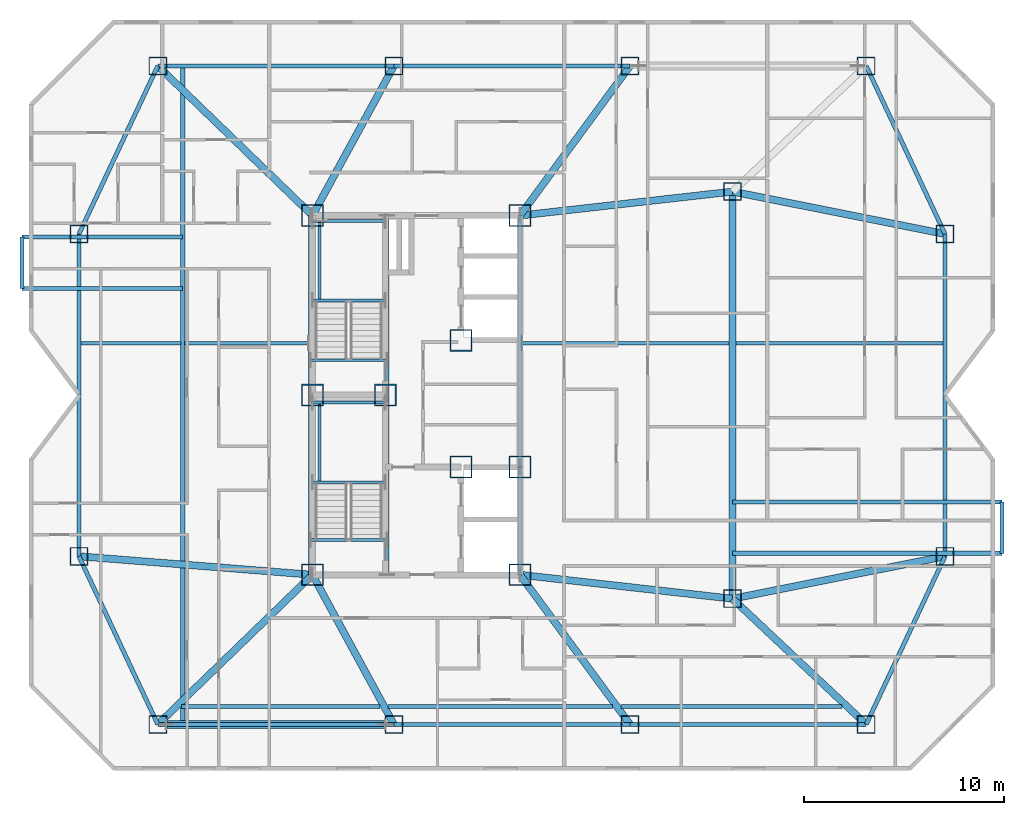
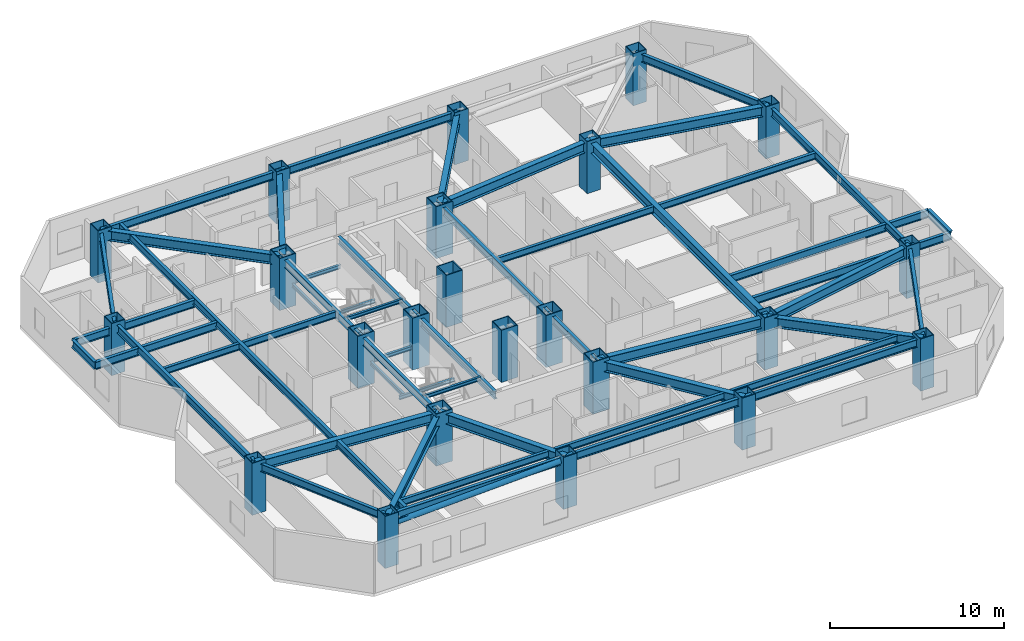
# One storey, part 1 of 12: 52 beams, 23 columns, 1 member.
"""IFC4 building model written with IfcOpenShell, lengths in metres."""

from ifc_helpers import new_model, si_unit, direction, frame, origin, origin_2d, place, context, subcontext, project, spatial, hollow_rectangle, hollow_circle, i_section, extrude, material, material_profile, profile_set, type_object, element, save


model = new_model("IFC4")

# Units and contexts
model_context = context("Model", 3, precision=1e-05, world=origin(), true_north=direction((0.0, 1.0)))
body_context = subcontext(model_context, "Body", "Model", "MODEL_VIEW")
ifc_project = project(units=[si_unit("LENGTHUNIT", "METRE"), si_unit("AREAUNIT", "SQUARE_METRE"), si_unit("VOLUMEUNIT", "CUBIC_METRE"), si_unit("PLANEANGLEUNIT", "RADIAN"), si_unit("MASSUNIT", "GRAM", prefix="KILO")], contexts=[model_context])

# Site, building, storey
site_placement = place(None, origin())
site = spatial("IfcSite", under=ifc_project, at=site_placement, CompositionType="ELEMENT")
building_placement = place(site_placement, origin())
building = spatial("IfcBuilding", under=site, at=building_placement, Name="Khamvora Tower", CompositionType="ELEMENT")
storey_placement = place(building_placement, frame((0.0, 0.0, 188.75)))
storey = spatial("IfcBuildingStorey", under=building, at=storey_placement, Name="L48", CompositionType="ELEMENT", Elevation=188.75)

# Columns
ifc_material_1 = material(Name="Steel S460", Category="steel")
ifc_material_profile_1 = material_profile(ifc_material_1, hollow_rectangle(XDim=1.10009765625, YDim=1.10009765625, WallThickness=0.054931640625, at=origin_2d()), Name="BOX1100x1100x55")
ifc_profile_set_1 = profile_set([ifc_material_profile_1], Name="Steel S460")
column_type_1 = type_object("IfcColumnType", Name="COL-BOX1100", PredefinedType="COLUMN", material=ifc_profile_set_1)
for number, where, z_axis, x_axis, name in (
    (1, (29.0, 19.0, 0.0), (0.0, 0.0, 1.0), (1.0, 0.0, 0.0), "L48 plumb core spine column SC1"),
    (2, (32.64990234375, 28.0, 0.0), (0.0, 0.0, 1.0), (1.0, 0.0, 0.0), "L48 plumb core spine column SC2"),
    (3, (39.39990234375, 19.0, 0.0), (0.0, 0.0, 1.0), (1.0, 0.0, 0.0), "L48 plumb core spine column SC3"),
    (4, (29.0, 28.0, 0.0), (0.0, 0.0, 1.0), (1.0, 0.0, 0.0), "L48 plumb core spine column SC4"),
    (5, (36.449951171875, 24.39990234375, 0.0), (0.0, 0.0, 1.0), (1.0, 0.0, 0.0), "L48 plumb core spine column SC5"),
    (6, (39.39990234375, 24.39990234375, 0.0), (0.0, 0.0, 1.0), (1.0, 0.0, 0.0), "L48 plumb core spine column SC6"),
    (7, (29.0, 37.0, 0.0), (0.0, 0.0, 1.0), (1.0, 0.0, 0.0), "L48 plumb core spine column SC7"),
    (8, (36.449951171875, 30.75, 0.0), (0.0, 0.0, 1.0), (1.0, 0.0, 0.0), "L48 plumb core spine column SC8"),
    (9, (39.39990234375, 37.0, 0.0), (0.0, 0.0, 1.0), (1.0, 0.0, 0.0), "L48 plumb core spine column SC9"),
):
    element("IfcColumn", number, at=place(storey_placement, frame(where, z_axis=z_axis, x_axis=x_axis)), inside=storey, type_object=column_type_1, Name=name, PredefinedType="COLUMN", context=body_context, shape_type="SweptSolid", body=[
        extrude(hollow_rectangle(XDim=1.10009765625, YDim=1.10009765625, WallThickness=0.054931640625, at=origin_2d()), origin(), (0.0, 0.0, 1.0), 3.64990234375),
    ])
ifc_material_2 = material(Name="Steel S355", Category="steel")
ifc_material_profile_2 = material_profile(ifc_material_2, hollow_rectangle(XDim=0.89990234375, YDim=0.89990234375, WallThickness=0.044921875, at=origin_2d()), Name="BOX900x900x45")
ifc_profile_set_2 = profile_set([ifc_material_profile_2], Name="Steel S355")
column_type_2 = type_object("IfcColumnType", Name="COL-BOX900", PredefinedType="COLUMN", material=ifc_profile_set_2)
for number, where, z_axis, x_axis, name in (
    (10, (21.25, 11.5, 0.0), (0.0, 0.0, 1.0), (1.0, 0.0, 0.0), "L48 structural frame column S1"),
    (11, (33.0830078125, 11.5, 0.0), (0.0, 0.0, 1.0), (1.0, 0.0, 0.0), "L48 structural frame column S2"),
    (12, (44.9169921875, 11.5, 0.0), (0.0, 0.0, 1.0), (1.0, 0.0, 0.0), "L48 structural frame column S3"),
    (13, (56.75, 11.5, 0.0), (0.0, 0.0, 1.0), (1.0, 0.0, 0.0), "L48 structural frame column S4"),
    (14, (21.25, 44.5, 0.0), (0.0, 0.0, 1.0), (1.0, 0.0, 0.0), "L48 structural frame column N1"),
    (15, (33.0830078125, 44.5, 0.0), (0.0, 0.0, 1.0), (1.0, 0.0, 0.0), "L48 structural frame column N2"),
    (16, (44.9169921875, 44.5, 0.0), (0.0, 0.0, 1.0), (1.0, 0.0, 0.0), "L48 structural frame column N3"),
    (17, (56.75, 44.5, 0.0), (0.0, 0.0, 1.0), (1.0, 0.0, 0.0), "L48 structural frame column N4"),
    (18, (17.300048828125, 19.925048828125, 0.0), (0.0, 0.0, 1.0), (1.0, 0.0, 0.0), "L48 structural frame column W1"),
    (19, (17.300048828125, 36.074951171875, 0.0), (0.0, 0.0, 1.0), (1.0, 0.0, 0.0), "L48 structural frame column W2"),
    (20, (60.699951171875, 19.925048828125, 0.0), (0.0, 0.0, 1.0), (1.0, 0.0, 0.0), "L48 structural frame column E1"),
    (21, (60.699951171875, 36.074951171875, 0.0), (0.0, 0.0, 1.0), (1.0, 0.0, 0.0), "L48 structural frame column E2"),
    (22, (50.050048828125, 17.800048828125, 0.0), (0.0, 0.0, 1.0), (1.0, 0.0, 0.0), "L48 structural frame column M1"),
    (23, (50.050048828125, 38.199951171875, 0.0), (0.0, 0.0, 1.0), (1.0, 0.0, 0.0), "L48 structural frame column M2"),
):
    element("IfcColumn", number, at=place(storey_placement, frame(where, z_axis=z_axis, x_axis=x_axis)), inside=storey, type_object=column_type_2, Name=name, PredefinedType="COLUMN", context=body_context, shape_type="SweptSolid", body=[
        extrude(hollow_rectangle(XDim=0.89990234375, YDim=0.89990234375, WallThickness=0.044921875, at=origin_2d()), origin(), (0.0, 0.0, 1.0), 3.64990234375),
    ])

# Beams
ifc_material_profile_3 = material_profile(ifc_material_2, i_section(OverallWidth=0.19189453125, OverallDepth=0.462890625, WebThickness=0.010986328125, FlangeThickness=0.01806640625, FilletRadius=0.011962890625, at=origin_2d()), Name="W460x89")
ifc_profile_set_3 = profile_set([ifc_material_profile_3], Name="Steel S355")
beam_type_1 = type_object("IfcBeamType", Name="BM-JS-W460x89", PredefinedType="JOIST", material=ifc_profile_set_3)
beam_1_placement = place(storey_placement, frame((22.429931640625, 12.39990234375, 3.197998046875), z_axis=(1.0, 0.0, 0.0), x_axis=(0.0, 1.0, 0.0)))
element("IfcBeam", 24, at=beam_1_placement, inside=storey, type_object=beam_type_1, Name="L48 secondary floor joist 01", PredefinedType="JOIST", context=body_context, shape_type="SweptSolid", body=[
    extrude(i_section(OverallWidth=0.19189453125, OverallDepth=0.462890625, WebThickness=0.010986328125, FlangeThickness=0.01806640625, FilletRadius=0.011962890625, at=origin_2d()), origin(), (0.0, 0.0, 1.0), 9.966064453125),
])
beam_2_placement = place(storey_placement, frame((32.7900390625, 12.39990234375, 3.197998046875), z_axis=(1.0, 0.0, 0.0), x_axis=(0.0, 1.0, 0.0)))
element("IfcBeam", 25, at=beam_2_placement, inside=storey, type_object=beam_type_1, Name="L48 secondary floor joist 02", PredefinedType="JOIST", context=body_context, shape_type="SweptSolid", body=[
    extrude(i_section(OverallWidth=0.19189453125, OverallDepth=0.462890625, WebThickness=0.010986328125, FlangeThickness=0.01806640625, FilletRadius=0.011962890625, at=origin_2d()), origin(), (0.0, 0.0, 1.0), 11.25),
])
beam_3_placement = place(storey_placement, frame((44.469970703125, 12.39990234375, 3.197998046875), z_axis=(1.0, 0.0, 0.0), x_axis=(0.0, 1.0, 0.0)))
element("IfcBeam", 26, at=beam_3_placement, inside=storey, type_object=beam_type_1, Name="L48 secondary floor joist 03", PredefinedType="JOIST", context=body_context, shape_type="SweptSolid", body=[
    extrude(i_section(OverallWidth=0.19189453125, OverallDepth=0.462890625, WebThickness=0.010986328125, FlangeThickness=0.01806640625, FilletRadius=0.011962890625, at=origin_2d()), origin(), (0.0, 0.0, 1.0), 11.069091796875),
])
beam_4_placement = place(storey_placement, frame((17.40087890625, 30.60009765625, 3.197998046875), z_axis=(1.0, 0.0, 0.0), x_axis=(0.0, 1.0, 0.0)))
element("IfcBeam", 27, at=beam_4_placement, inside=storey, type_object=beam_type_1, Name="L48 secondary floor joist 04", PredefinedType="JOIST", context=body_context, shape_type="SweptSolid", body=[
    extrude(i_section(OverallWidth=0.19189453125, OverallDepth=0.462890625, WebThickness=0.010986328125, FlangeThickness=0.01806640625, FilletRadius=0.011962890625, at=origin_2d()), origin(), (0.0, 0.0, 1.0), 5.0),
])
beam_5_placement = place(storey_placement, frame((22.59912109375, 30.60009765625, 3.197998046875), z_axis=(1.0, 0.0, 0.0), x_axis=(0.0, 1.0, 0.0)))
element("IfcBeam", 28, at=beam_5_placement, inside=storey, type_object=beam_type_1, Name="L48 secondary floor joist 05", PredefinedType="JOIST", context=body_context, shape_type="SweptSolid", body=[
    extrude(i_section(OverallWidth=0.19189453125, OverallDepth=0.462890625, WebThickness=0.010986328125, FlangeThickness=0.01806640625, FilletRadius=0.011962890625, at=origin_2d()), origin(), (0.0, 0.0, 1.0), 6.200927734375),
])
beam_6_placement = place(storey_placement, frame((39.4990234375, 30.60009765625, 3.197998046875), z_axis=(1.0, 0.0, 0.0), x_axis=(0.0, 1.0, 0.0)))
element("IfcBeam", 29, at=beam_6_placement, inside=storey, type_object=beam_type_1, Name="L48 secondary floor joist 06", PredefinedType="JOIST", context=body_context, shape_type="SweptSolid", body=[
    extrude(i_section(OverallWidth=0.19189453125, OverallDepth=0.462890625, WebThickness=0.010986328125, FlangeThickness=0.01806640625, FilletRadius=0.011962890625, at=origin_2d()), origin(), (0.0, 0.0, 1.0), 10.3779296875),
])
beam_7_placement = place(storey_placement, frame((50.221923828125, 30.60009765625, 3.197998046875), z_axis=(1.0, 0.0, 0.0), x_axis=(0.0, 1.0, 0.0)))
element("IfcBeam", 30, at=beam_7_placement, inside=storey, type_object=beam_type_1, Name="L48 secondary floor joist 07", PredefinedType="JOIST", context=body_context, shape_type="SweptSolid", body=[
    extrude(i_section(OverallWidth=0.19189453125, OverallDepth=0.462890625, WebThickness=0.010986328125, FlangeThickness=0.01806640625, FilletRadius=0.011962890625, at=origin_2d()), origin(), (0.0, 0.0, 1.0), 10.377197265625),
])
ifc_material_profile_4 = material_profile(ifc_material_2, i_section(OverallWidth=0.14697265625, OverallDepth=0.261962890625, WebThickness=0.007080078125, FlangeThickness=0.010986328125, FilletRadius=0.008056640625, at=origin_2d()), Name="W250x39")
ifc_profile_set_4 = profile_set([ifc_material_profile_4], Name="Steel S355")
beam_type_2 = type_object("IfcBeamType", Name="BM-LN-W250x39", PredefinedType="LINTEL", material=ifc_profile_set_4)
for number, where, z_axis, x_axis, name in (
    (31, (29.0, 23.635009765625, 1.493896484375), (1.0, 0.0, 0.0), (0.0, 1.0, 0.0), "L48 ST-01 half-landing support beam 1.1"),
    (32, (29.0, 27.6298828125, 1.493896484375), (1.0, 0.0, 0.0), (0.0, 1.0, 0.0), "L48 ST-01 half-landing support beam 1.2"),
):
    element("IfcBeam", number, at=place(storey_placement, frame(where, z_axis=z_axis, x_axis=x_axis)), inside=storey, type_object=beam_type_2, Name=name, PredefinedType="LINTEL", context=body_context, shape_type="SweptSolid", body=[
        extrude(i_section(OverallWidth=0.14697265625, OverallDepth=0.261962890625, WebThickness=0.007080078125, FlangeThickness=0.010986328125, FilletRadius=0.008056640625, at=origin_2d()), origin(), (0.0, 0.0, 1.0), 3.64990234375),
    ])
beam_8_placement = place(storey_placement, frame((29.35009765625, 23.635009765625, 1.493896484375), z_axis=(0.0, 1.0, 0.0), x_axis=(-1.0, 0.0, 0.0)))
element("IfcBeam", 33, at=beam_8_placement, inside=storey, type_object=beam_type_2, Name="L48 ST-01 half-landing edge stringer 1", PredefinedType="LINTEL", context=body_context, shape_type="SweptSolid", body=[
    extrude(i_section(OverallWidth=0.14697265625, OverallDepth=0.261962890625, WebThickness=0.007080078125, FlangeThickness=0.010986328125, FilletRadius=0.008056640625, at=origin_2d()), origin(), (0.0, 0.0, 1.0), 3.994873046875),
])
for number, where, z_axis, x_axis, name in (
    (34, (29.0, 32.735107421875, 1.493896484375), (1.0, 0.0, 0.0), (0.0, 1.0, 0.0), "L48 ST-02 half-landing support beam 1.1"),
    (35, (29.0, 36.72998046875, 1.493896484375), (1.0, 0.0, 0.0), (0.0, 1.0, 0.0), "L48 ST-02 half-landing support beam 1.2"),
):
    element("IfcBeam", number, at=place(storey_placement, frame(where, z_axis=z_axis, x_axis=x_axis)), inside=storey, type_object=beam_type_2, Name=name, PredefinedType="LINTEL", context=body_context, shape_type="SweptSolid", body=[
        extrude(i_section(OverallWidth=0.14697265625, OverallDepth=0.261962890625, WebThickness=0.007080078125, FlangeThickness=0.010986328125, FilletRadius=0.008056640625, at=origin_2d()), origin(), (0.0, 0.0, 1.0), 3.64990234375),
    ])
beam_9_placement = place(storey_placement, frame((29.35009765625, 32.735107421875, 1.493896484375), z_axis=(0.0, 1.0, 0.0), x_axis=(-1.0, 0.0, 0.0)))
element("IfcBeam", 36, at=beam_9_placement, inside=storey, type_object=beam_type_2, Name="L48 ST-02 half-landing edge stringer 1", PredefinedType="LINTEL", context=body_context, shape_type="SweptSolid", body=[
    extrude(i_section(OverallWidth=0.14697265625, OverallDepth=0.261962890625, WebThickness=0.007080078125, FlangeThickness=0.010986328125, FilletRadius=0.008056640625, at=origin_2d()), origin(), (0.0, 0.0, 1.0), 3.994873046875),
])
for number, where, z_axis, x_axis, name in (
    (37, (28.89990234375, 20.75, 3.303955078125), (1.0, 0.0, 0.0), (0.0, 1.0, 0.0), "L48 exit stair ST-01 landing trimmer beam"),
    (38, (28.89990234375, 29.75, 3.303955078125), (1.0, 0.0, 0.0), (0.0, 1.0, 0.0), "L48 exit stair ST-02 landing trimmer beam"),
):
    element("IfcBeam", number, at=place(storey_placement, frame(where, z_axis=z_axis, x_axis=x_axis)), inside=storey, type_object=beam_type_2, Name=name, PredefinedType="LINTEL", context=body_context, shape_type="SweptSolid", body=[
        extrude(i_section(OverallWidth=0.14697265625, OverallDepth=0.261962890625, WebThickness=0.007080078125, FlangeThickness=0.010986328125, FilletRadius=0.008056640625, at=origin_2d()), origin(), (0.0, 0.0, 1.0), 3.830078125),
    ])
ifc_material_profile_5 = material_profile(ifc_material_2, i_section(OverallWidth=0.35498046875, OverallDepth=0.695068359375, WebThickness=0.014892578125, FlangeThickness=0.02490234375, FilletRadius=0.01611328125, at=origin_2d()), Name="W690x217")
ifc_profile_set_5 = profile_set([ifc_material_profile_5], Name="Steel S355")
beam_type_3 = type_object("IfcBeamType", Name="BM-PG-W690x217", PredefinedType="BEAM", material=ifc_profile_set_5)
beam_10_placement = place(storey_placement, frame((50.050048828125, 17.800048828125, 3.0830078125), z_axis=(0.0, 1.0, 0.0), x_axis=(-1.0, 0.0, 0.0)))
element("IfcBeam", 39, at=beam_10_placement, inside=storey, type_object=beam_type_3, Name="L48 longitudinal frame girder M1-M2", PredefinedType="BEAM", context=body_context, shape_type="SweptSolid", body=[
    extrude(i_section(OverallWidth=0.35498046875, OverallDepth=0.695068359375, WebThickness=0.014892578125, FlangeThickness=0.02490234375, FilletRadius=0.01611328125, at=origin_2d()), origin(), (0.0, 0.0, 1.0), 20.39990234375),
])
beam_11_placement = place(storey_placement, frame((29.0, 19.0, 3.0830078125), z_axis=(-0.718602141767, -0.695421427516, 0.0), x_axis=(0.695421427516, -0.718602141767, 0.0)))
element("IfcBeam", 40, at=beam_11_placement, inside=storey, type_object=beam_type_3, Name="L48 primary floor girder S1", PredefinedType="BEAM", context=body_context, shape_type="SweptSolid", body=[
    extrude(i_section(OverallWidth=0.35498046875, OverallDepth=0.695068359375, WebThickness=0.014892578125, FlangeThickness=0.02490234375, FilletRadius=0.01611328125, at=origin_2d()), origin(), (0.0, 0.0, 1.0), 10.784912109375),
])
beam_12_placement = place(storey_placement, frame((29.0, 19.0, 3.0830078125), z_axis=(0.478138862063, -0.878284252725, 0.0), x_axis=(0.878284252725, 0.478138862063, 0.0)))
element("IfcBeam", 41, at=beam_12_placement, inside=storey, type_object=beam_type_3, Name="L48 primary floor girder S2", PredefinedType="BEAM", context=body_context, shape_type="SweptSolid", body=[
    extrude(i_section(OverallWidth=0.35498046875, OverallDepth=0.695068359375, WebThickness=0.014892578125, FlangeThickness=0.02490234375, FilletRadius=0.01611328125, at=origin_2d()), origin(), (0.0, 0.0, 1.0), 8.539306640625),
])
beam_13_placement = place(storey_placement, frame((39.39990234375, 19.0, 3.0830078125), z_axis=(0.592556630955, -0.805528794713, 0.0), x_axis=(0.805528794713, 0.592556630955, 0.0)))
element("IfcBeam", 42, at=beam_13_placement, inside=storey, type_object=beam_type_3, Name="L48 primary floor girder S3", PredefinedType="BEAM", context=body_context, shape_type="SweptSolid", body=[
    extrude(i_section(OverallWidth=0.35498046875, OverallDepth=0.695068359375, WebThickness=0.014892578125, FlangeThickness=0.02490234375, FilletRadius=0.01611328125, at=origin_2d()), origin(), (0.0, 0.0, 1.0), 9.310546875),
])
beam_14_placement = place(storey_placement, frame((50.050048828125, 17.800048828125, 3.0830078125), z_axis=(0.728513992294, -0.685030921224, 0.0), x_axis=(0.685030921224, 0.728513992294, 0.0)))
element("IfcBeam", 43, at=beam_14_placement, inside=storey, type_object=beam_type_3, Name="L48 primary floor girder S4", PredefinedType="BEAM", context=body_context, shape_type="SweptSolid", body=[
    extrude(i_section(OverallWidth=0.35498046875, OverallDepth=0.695068359375, WebThickness=0.014892578125, FlangeThickness=0.02490234375, FilletRadius=0.01611328125, at=origin_2d()), origin(), (0.0, 0.0, 1.0), 9.19677734375),
])
beam_15_placement = place(storey_placement, frame((29.0, 37.0, 3.0830078125), z_axis=(-0.718602141767, 0.695421427516, 0.0), x_axis=(-0.695421427516, -0.718602141767, 0.0)))
element("IfcBeam", 44, at=beam_15_placement, inside=storey, type_object=beam_type_3, Name="L48 primary floor girder N1", PredefinedType="BEAM", context=body_context, shape_type="SweptSolid", body=[
    extrude(i_section(OverallWidth=0.35498046875, OverallDepth=0.695068359375, WebThickness=0.014892578125, FlangeThickness=0.02490234375, FilletRadius=0.01611328125, at=origin_2d()), origin(), (0.0, 0.0, 1.0), 10.784912109375),
])
beam_16_placement = place(storey_placement, frame((29.0, 37.0, 3.0830078125), z_axis=(0.478138862063, 0.878284252725, 0.0), x_axis=(-0.878284252725, 0.478138862063, 0.0)))
element("IfcBeam", 45, at=beam_16_placement, inside=storey, type_object=beam_type_3, Name="L48 primary floor girder N2", PredefinedType="BEAM", context=body_context, shape_type="SweptSolid", body=[
    extrude(i_section(OverallWidth=0.35498046875, OverallDepth=0.695068359375, WebThickness=0.014892578125, FlangeThickness=0.02490234375, FilletRadius=0.01611328125, at=origin_2d()), origin(), (0.0, 0.0, 1.0), 8.539306640625),
])
beam_17_placement = place(storey_placement, frame((39.39990234375, 37.0, 3.0830078125), z_axis=(0.592556630955, 0.805528794713, 0.0), x_axis=(-0.805528794713, 0.592556630955, 0.0)))
element("IfcBeam", 46, at=beam_17_placement, inside=storey, type_object=beam_type_3, Name="L48 primary floor girder N3", PredefinedType="BEAM", context=body_context, shape_type="SweptSolid", body=[
    extrude(i_section(OverallWidth=0.35498046875, OverallDepth=0.695068359375, WebThickness=0.014892578125, FlangeThickness=0.02490234375, FilletRadius=0.01611328125, at=origin_2d()), origin(), (0.0, 0.0, 1.0), 9.310546875),
])
beam_18_placement = place(storey_placement, frame((29.0, 19.0, 3.0830078125), z_axis=(-0.996888993668, 0.078818362728, 0.0), x_axis=(-0.078818362728, -0.996888993668, 0.0)))
element("IfcBeam", 47, at=beam_18_placement, inside=storey, type_object=beam_type_3, Name="L48 primary floor girder W1", PredefinedType="BEAM", context=body_context, shape_type="SweptSolid", body=[
    extrude(i_section(OverallWidth=0.35498046875, OverallDepth=0.695068359375, WebThickness=0.014892578125, FlangeThickness=0.02490234375, FilletRadius=0.01611328125, at=origin_2d()), origin(), (0.0, 0.0, 1.0), 11.736572265625),
])
for number, where, z_axis, x_axis, name in (
    (48, (50.050048828125, 17.800048828125, 3.0830078125), (0.980668771461, 0.195675140681, 0.0), (-0.195675140681, 0.980668771461, 0.0), "L48 primary floor girder E1"),
    (49, (50.050048828125, 38.199951171875, 3.0830078125), (0.980668771461, -0.195675140681, 0.0), (0.195675140681, 0.980668771461, 0.0), "L48 primary floor girder E2"),
):
    element("IfcBeam", number, at=place(storey_placement, frame(where, z_axis=z_axis, x_axis=x_axis)), inside=storey, type_object=beam_type_3, Name=name, PredefinedType="BEAM", context=body_context, shape_type="SweptSolid", body=[
        extrude(i_section(OverallWidth=0.35498046875, OverallDepth=0.695068359375, WebThickness=0.014892578125, FlangeThickness=0.02490234375, FilletRadius=0.01611328125, at=origin_2d()), origin(), (0.0, 0.0, 1.0), 10.85986328125),
    ])
for number, where, z_axis, x_axis, name in (
    (50, (39.39990234375, 19.0, 3.0830078125), (0.993712543569, -0.111961514606, 0.0), (0.111961514606, 0.993712543569, 0.0), "L48 primary floor girder M1"),
    (51, (39.39990234375, 37.0, 3.0830078125), (0.993712543569, 0.111961514606, 0.0), (-0.111961514606, 0.993712543569, 0.0), "L48 primary floor girder M2"),
):
    element("IfcBeam", number, at=place(storey_placement, frame(where, z_axis=z_axis, x_axis=x_axis)), inside=storey, type_object=beam_type_3, Name=name, PredefinedType="BEAM", context=body_context, shape_type="SweptSolid", body=[
        extrude(i_section(OverallWidth=0.35498046875, OverallDepth=0.695068359375, WebThickness=0.014892578125, FlangeThickness=0.02490234375, FilletRadius=0.01611328125, at=origin_2d()), origin(), (0.0, 0.0, 1.0), 10.717529296875),
    ])
ifc_material_profile_6 = material_profile(ifc_material_2, i_section(OverallWidth=0.2119140625, OverallDepth=0.5439453125, WebThickness=0.012939453125, FlangeThickness=0.02099609375, FilletRadius=0.013916015625, at=origin_2d()), Name="W530x123")
ifc_profile_set_6 = profile_set([ifc_material_profile_6], Name="Steel S355")
beam_type_4 = type_object("IfcBeamType", Name="BM-SP-W530x123", PredefinedType="SPANDREL", material=ifc_profile_set_6)
beam_19_placement = place(storey_placement, frame((17.300048828125, 19.925048828125, 3.157958984375), z_axis=(0.424496391454, -0.905429629315, 0.0), x_axis=(0.905429629315, 0.424496391454, 0.0)))
element("IfcBeam", 52, at=beam_19_placement, inside=storey, type_object=beam_type_4, Name="L48 perimeter spandrel beam W1-S1", PredefinedType="SPANDREL", context=body_context, shape_type="SweptSolid", body=[
    extrude(i_section(OverallWidth=0.2119140625, OverallDepth=0.5439453125, WebThickness=0.012939453125, FlangeThickness=0.02099609375, FilletRadius=0.013916015625, at=origin_2d()), origin(), (0.0, 0.0, 1.0), 9.304931640625),
])
beam_20_placement = place(storey_placement, frame((21.25, 11.5, 3.157958984375), z_axis=(1.0, 0.0, 0.0), x_axis=(0.0, 1.0, 0.0)))
element("IfcBeam", 53, at=beam_20_placement, inside=storey, type_object=beam_type_4, Name="L48 perimeter spandrel beam S1-S2", PredefinedType="SPANDREL", context=body_context, shape_type="SweptSolid", body=[
    extrude(i_section(OverallWidth=0.2119140625, OverallDepth=0.5439453125, WebThickness=0.012939453125, FlangeThickness=0.02099609375, FilletRadius=0.013916015625, at=origin_2d()), origin(), (0.0, 0.0, 1.0), 11.8330078125),
])
beam_21_placement = place(storey_placement, frame((33.0830078125, 11.5, 3.157958984375), z_axis=(1.0, 0.0, 0.0), x_axis=(0.0, 1.0, 0.0)))
element("IfcBeam", 54, at=beam_21_placement, inside=storey, type_object=beam_type_4, Name="L48 perimeter spandrel beam S2-S3", PredefinedType="SPANDREL", context=body_context, shape_type="SweptSolid", body=[
    extrude(i_section(OverallWidth=0.2119140625, OverallDepth=0.5439453125, WebThickness=0.012939453125, FlangeThickness=0.02099609375, FilletRadius=0.013916015625, at=origin_2d()), origin(), (0.0, 0.0, 1.0), 11.833984375),
])
beam_22_placement = place(storey_placement, frame((44.9169921875, 11.5, 3.157958984375), z_axis=(1.0, 0.0, 0.0), x_axis=(0.0, 1.0, 0.0)))
element("IfcBeam", 55, at=beam_22_placement, inside=storey, type_object=beam_type_4, Name="L48 perimeter spandrel beam S3-S4", PredefinedType="SPANDREL", context=body_context, shape_type="SweptSolid", body=[
    extrude(i_section(OverallWidth=0.2119140625, OverallDepth=0.5439453125, WebThickness=0.012939453125, FlangeThickness=0.02099609375, FilletRadius=0.013916015625, at=origin_2d()), origin(), (0.0, 0.0, 1.0), 11.8330078125),
])
beam_23_placement = place(storey_placement, frame((56.75, 11.5, 3.157958984375), z_axis=(0.424496391454, 0.905429629315, 0.0), x_axis=(-0.905429629315, 0.424496391454, 0.0)))
element("IfcBeam", 56, at=beam_23_placement, inside=storey, type_object=beam_type_4, Name="L48 perimeter spandrel beam S4-E1", PredefinedType="SPANDREL", context=body_context, shape_type="SweptSolid", body=[
    extrude(i_section(OverallWidth=0.2119140625, OverallDepth=0.5439453125, WebThickness=0.012939453125, FlangeThickness=0.02099609375, FilletRadius=0.013916015625, at=origin_2d()), origin(), (0.0, 0.0, 1.0), 9.304931640625),
])
beam_24_placement = place(storey_placement, frame((60.699951171875, 19.925048828125, 3.157958984375), z_axis=(0.0, 1.0, 0.0), x_axis=(-1.0, 0.0, 0.0)))
element("IfcBeam", 57, at=beam_24_placement, inside=storey, type_object=beam_type_4, Name="L48 perimeter spandrel beam E1-E2", PredefinedType="SPANDREL", context=body_context, shape_type="SweptSolid", body=[
    extrude(i_section(OverallWidth=0.2119140625, OverallDepth=0.5439453125, WebThickness=0.012939453125, FlangeThickness=0.02099609375, FilletRadius=0.013916015625, at=origin_2d()), origin(), (0.0, 0.0, 1.0), 16.14990234375),
])
beam_25_placement = place(storey_placement, frame((60.699951171875, 36.074951171875, 3.157958984375), z_axis=(-0.424496391454, 0.905429629315, 0.0), x_axis=(-0.905429629315, -0.424496391454, 0.0)))
element("IfcBeam", 58, at=beam_25_placement, inside=storey, type_object=beam_type_4, Name="L48 perimeter spandrel beam E2-N4", PredefinedType="SPANDREL", context=body_context, shape_type="SweptSolid", body=[
    extrude(i_section(OverallWidth=0.2119140625, OverallDepth=0.5439453125, WebThickness=0.012939453125, FlangeThickness=0.02099609375, FilletRadius=0.013916015625, at=origin_2d()), origin(), (0.0, 0.0, 1.0), 9.304931640625),
])
beam_26_placement = place(storey_placement, frame((44.9169921875, 44.5, 3.157958984375), z_axis=(-1.0, 0.0, 0.0), x_axis=(0.0, -1.0, 0.0)))
element("IfcBeam", 59, at=beam_26_placement, inside=storey, type_object=beam_type_4, Name="L48 perimeter spandrel beam N3-N2", PredefinedType="SPANDREL", context=body_context, shape_type="SweptSolid", body=[
    extrude(i_section(OverallWidth=0.2119140625, OverallDepth=0.5439453125, WebThickness=0.012939453125, FlangeThickness=0.02099609375, FilletRadius=0.013916015625, at=origin_2d()), origin(), (0.0, 0.0, 1.0), 11.833984375),
])
beam_27_placement = place(storey_placement, frame((33.0830078125, 44.5, 3.157958984375), z_axis=(-1.0, 0.0, 0.0), x_axis=(0.0, -1.0, 0.0)))
element("IfcBeam", 60, at=beam_27_placement, inside=storey, type_object=beam_type_4, Name="L48 perimeter spandrel beam N2-N1", PredefinedType="SPANDREL", context=body_context, shape_type="SweptSolid", body=[
    extrude(i_section(OverallWidth=0.2119140625, OverallDepth=0.5439453125, WebThickness=0.012939453125, FlangeThickness=0.02099609375, FilletRadius=0.013916015625, at=origin_2d()), origin(), (0.0, 0.0, 1.0), 11.8330078125),
])
beam_28_placement = place(storey_placement, frame((21.25, 44.5, 3.157958984375), z_axis=(-0.424496391454, -0.905429629315, 0.0), x_axis=(0.905429629315, -0.424496391454, 0.0)))
element("IfcBeam", 61, at=beam_28_placement, inside=storey, type_object=beam_type_4, Name="L48 perimeter spandrel beam N1-W2", PredefinedType="SPANDREL", context=body_context, shape_type="SweptSolid", body=[
    extrude(i_section(OverallWidth=0.2119140625, OverallDepth=0.5439453125, WebThickness=0.012939453125, FlangeThickness=0.02099609375, FilletRadius=0.013916015625, at=origin_2d()), origin(), (0.0, 0.0, 1.0), 9.304931640625),
])
beam_29_placement = place(storey_placement, frame((17.300048828125, 36.074951171875, 3.157958984375), z_axis=(0.0, -1.0, 0.0), x_axis=(1.0, 0.0, 0.0)))
element("IfcBeam", 62, at=beam_29_placement, inside=storey, type_object=beam_type_4, Name="L48 perimeter spandrel beam W2-W1", PredefinedType="SPANDREL", context=body_context, shape_type="SweptSolid", body=[
    extrude(i_section(OverallWidth=0.2119140625, OverallDepth=0.5439453125, WebThickness=0.012939453125, FlangeThickness=0.02099609375, FilletRadius=0.013916015625, at=origin_2d()), origin(), (0.0, 0.0, 1.0), 16.14990234375),
])
ifc_material_profile_7 = material_profile(ifc_material_2, i_section(OverallWidth=0.208984375, OverallDepth=0.532958984375, WebThickness=0.010009765625, FlangeThickness=0.01611328125, FilletRadius=0.013916015625, at=origin_2d()), Name="W530x92")
ifc_profile_set_7 = profile_set([ifc_material_profile_7], Name="Steel S355")
beam_type_5 = type_object("IfcBeamType", Name="BM-SP-W530x92", PredefinedType="SPANDREL", material=ifc_profile_set_7)
for number, where, z_axis, x_axis, name in (
    (63, (28.89990234375, 19.0, 3.1630859375), (0.0, 1.0, 0.0), (-1.0, 0.0, 0.0), "L48 core spine girder WS"),
    (64, (28.89990234375, 28.0, 3.1630859375), (0.0, 1.0, 0.0), (-1.0, 0.0, 0.0), "L48 core spine girder WN"),
    (65, (32.72998046875, 19.0, 3.1630859375), (0.0, 1.0, 0.0), (-1.0, 0.0, 0.0), "L48 core spine girder M1S"),
    (66, (32.72998046875, 28.0, 3.1630859375), (0.0, 1.0, 0.0), (-1.0, 0.0, 0.0), "L48 core spine girder M1N"),
):
    element("IfcBeam", number, at=place(storey_placement, frame(where, z_axis=z_axis, x_axis=x_axis)), inside=storey, type_object=beam_type_5, Name=name, PredefinedType="SPANDREL", context=body_context, shape_type="SweptSolid", body=[
        extrude(i_section(OverallWidth=0.208984375, OverallDepth=0.532958984375, WebThickness=0.010009765625, FlangeThickness=0.01611328125, FilletRadius=0.013916015625, at=origin_2d()), origin(), (0.0, 0.0, 1.0), 9.0),
    ])
beam_30_placement = place(storey_placement, frame((39.39990234375, 19.0, 3.1630859375), z_axis=(0.0, 1.0, 0.0), x_axis=(-1.0, 0.0, 0.0)))
element("IfcBeam", 67, at=beam_30_placement, inside=storey, type_object=beam_type_5, Name="L48 core spine girder ES", PredefinedType="SPANDREL", context=body_context, shape_type="SweptSolid", body=[
    extrude(i_section(OverallWidth=0.208984375, OverallDepth=0.532958984375, WebThickness=0.010009765625, FlangeThickness=0.01611328125, FilletRadius=0.013916015625, at=origin_2d()), origin(), (0.0, 0.0, 1.0), 5.39990234375),
])
beam_31_placement = place(storey_placement, frame((39.39990234375, 24.39990234375, 3.1630859375), z_axis=(0.0, 1.0, 0.0), x_axis=(-1.0, 0.0, 0.0)))
element("IfcBeam", 68, at=beam_31_placement, inside=storey, type_object=beam_type_5, Name="L48 core spine girder EN", PredefinedType="SPANDREL", context=body_context, shape_type="SweptSolid", body=[
    extrude(i_section(OverallWidth=0.208984375, OverallDepth=0.532958984375, WebThickness=0.010009765625, FlangeThickness=0.01611328125, FilletRadius=0.013916015625, at=origin_2d()), origin(), (0.0, 0.0, 1.0), 12.60009765625),
])
for number, where, z_axis, x_axis, name in (
    (69, (50.050048828125, 20.074951171875, 2.962890625), (1.0, 0.0, 0.0), (0.0, 1.0, 0.0), "L48 continuous gallery cantilever girder L49-EL1-1"),
    (70, (50.050048828125, 22.64990234375, 2.962890625), (1.0, 0.0, 0.0), (0.0, 1.0, 0.0), "L48 continuous gallery cantilever girder L49-EL1-2"),
):
    element("IfcBeam", number, at=place(storey_placement, frame(where, z_axis=z_axis, x_axis=x_axis)), inside=storey, type_object=beam_type_5, Name=name, PredefinedType="SPANDREL", context=body_context, shape_type="SweptSolid", body=[
        extrude(i_section(OverallWidth=0.208984375, OverallDepth=0.532958984375, WebThickness=0.010009765625, FlangeThickness=0.01611328125, FilletRadius=0.013916015625, at=origin_2d()), origin(), (0.0, 0.0, 1.0), 13.5),
    ])
beam_32_placement = place(storey_placement, frame((63.550048828125, 20.074951171875, 2.962890625), z_axis=(0.0, 1.0, 0.0), x_axis=(-1.0, 0.0, 0.0)))
element("IfcBeam", 71, at=beam_32_placement, inside=storey, type_object=beam_type_5, Name="L48 external gallery edge header beam L49-EL1", PredefinedType="SPANDREL", context=body_context, shape_type="SweptSolid", body=[
    extrude(i_section(OverallWidth=0.208984375, OverallDepth=0.532958984375, WebThickness=0.010009765625, FlangeThickness=0.01611328125, FilletRadius=0.013916015625, at=origin_2d()), origin(), (0.0, 0.0, 1.0), 2.574951171875),
])
beam_33_placement = place(storey_placement, frame((22.5, 11.5, 3.1630859375), z_axis=(0.0, 1.0, 0.0), x_axis=(-1.0, 0.0, 0.0)))
element("IfcBeam", 72, at=beam_33_placement, inside=storey, type_object=beam_type_5, Name="L48 gallery back-span collector girder W", PredefinedType="SPANDREL", context=body_context, shape_type="SweptSolid", body=[
    extrude(i_section(OverallWidth=0.208984375, OverallDepth=0.532958984375, WebThickness=0.010009765625, FlangeThickness=0.01611328125, FilletRadius=0.013916015625, at=origin_2d()), origin(), (0.0, 0.0, 1.0), 33.0),
])
for number, where, z_axis, x_axis, name in (
    (73, (22.5, 33.35009765625, 2.962890625), (-1.0, 0.0, 0.0), (0.0, -1.0, 0.0), "L48 continuous gallery cantilever girder L49-WL2-1"),
    (74, (22.5, 35.925048828125, 2.962890625), (-1.0, 0.0, 0.0), (0.0, -1.0, 0.0), "L48 continuous gallery cantilever girder L49-WL2-2"),
):
    element("IfcBeam", number, at=place(storey_placement, frame(where, z_axis=z_axis, x_axis=x_axis)), inside=storey, type_object=beam_type_5, Name=name, PredefinedType="SPANDREL", context=body_context, shape_type="SweptSolid", body=[
        extrude(i_section(OverallWidth=0.208984375, OverallDepth=0.532958984375, WebThickness=0.010009765625, FlangeThickness=0.01611328125, FilletRadius=0.013916015625, at=origin_2d()), origin(), (0.0, 0.0, 1.0), 8.050048828125),
    ])
beam_34_placement = place(storey_placement, frame((14.449951171875, 33.35009765625, 2.962890625), z_axis=(0.0, 1.0, 0.0), x_axis=(-1.0, 0.0, 0.0)))
element("IfcBeam", 75, at=beam_34_placement, inside=storey, type_object=beam_type_5, Name="L48 external gallery edge header beam L49-WL2", PredefinedType="SPANDREL", context=body_context, shape_type="SweptSolid", body=[
    extrude(i_section(OverallWidth=0.208984375, OverallDepth=0.532958984375, WebThickness=0.010009765625, FlangeThickness=0.01611328125, FilletRadius=0.013916015625, at=origin_2d()), origin(), (0.0, 0.0, 1.0), 2.574951171875),
])

# Member
ifc_material_profile_8 = material_profile(ifc_material_2, hollow_circle(Radius=0.202880859375, WallThickness=0.01611328125, at=origin_2d()), Name="CHS406x16")
ifc_profile_set_8 = profile_set([ifc_material_profile_8], Name="Steel S355")
member_type = type_object("IfcMemberType", Name="MEM-BR-CHS406", PredefinedType="BRACE", material=ifc_profile_set_8)
member_placement = place(storey_placement, frame((21.679931640625, 11.5, 2.697998046875), z_axis=(0.999174860809, 0.0, 0.040615237634), x_axis=(0.0, 1.0, 0.0)))
element("IfcMember", 76, at=member_placement, inside=storey, type_object=member_type, Name="L48 perimeter wind brace 1", PredefinedType="BRACE", context=body_context, shape_type="SweptSolid", body=[
    extrude(hollow_circle(Radius=0.202880859375, WallThickness=0.01611328125, at=origin_2d()), origin(), (0.0, 0.0, 1.0), 10.982177734375),
])

save(model, "model.ifc")
